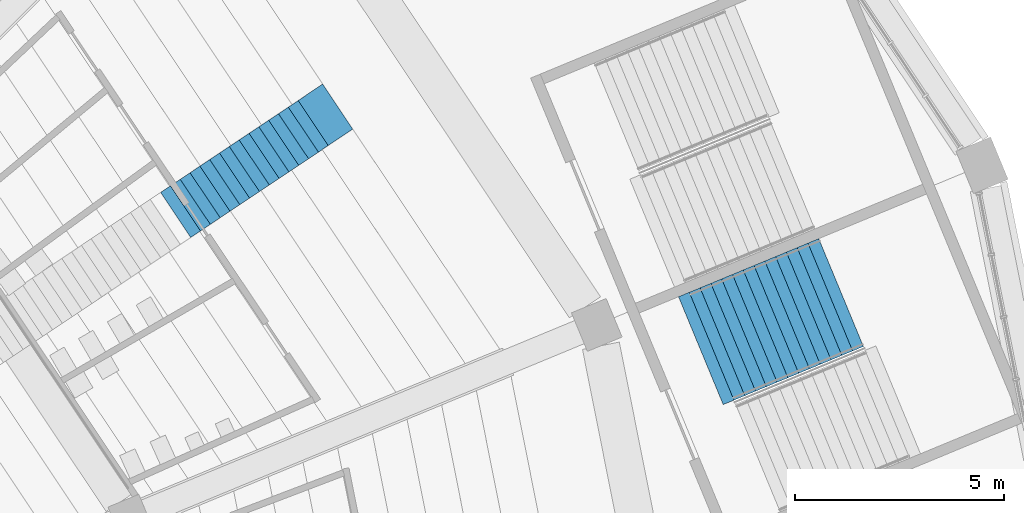
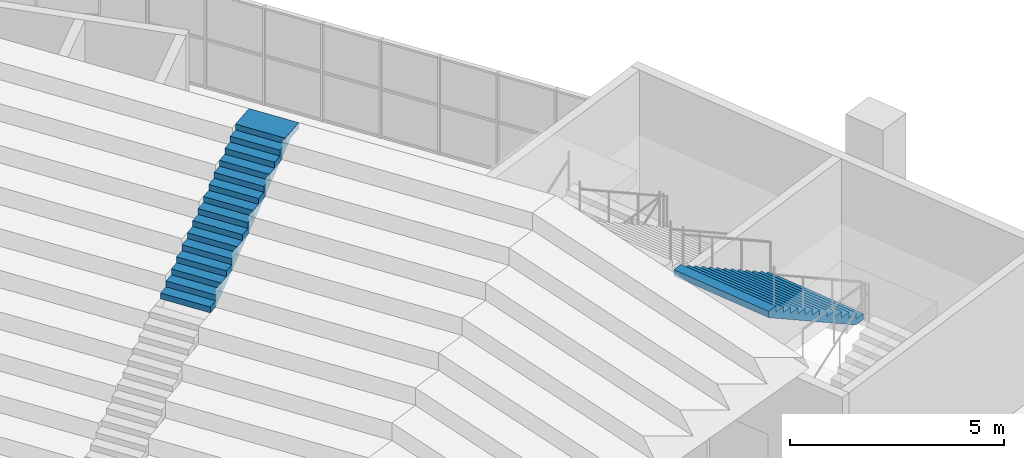
# One storey, part 225 of 249: 2 stair flights, 2 elements without a shape of their own.
"""IFC4 building model written with IfcOpenShell, lengths in metres."""

from ifc_helpers import new_model, si_unit, direction, frame, origin, place, context, subcontext, project, spatial, faceted_brep, material, type_object, element, aggregate, save


model = new_model("IFC4")

# Units and contexts
model_context = context("Model", 3, precision=1e-05, world=origin(), true_north=direction((0.0, 1.0)))
body_context = subcontext(model_context, "Body", "Model", "MODEL_VIEW")
ifc_project = project(units=[si_unit("LENGTHUNIT", "METRE"), si_unit("AREAUNIT", "SQUARE_METRE"), si_unit("VOLUMEUNIT", "CUBIC_METRE"), si_unit("PLANEANGLEUNIT", "RADIAN"), si_unit("MASSUNIT", "GRAM", prefix="KILO")], contexts=[model_context])

# Site, building, storey
site_placement = place(None, origin())
site = spatial("IfcSite", under=ifc_project, at=site_placement, CompositionType="ELEMENT")
building_placement = place(site_placement, origin())
building = spatial("IfcBuilding", under=site, at=building_placement, Name="Ogive Plaza Stadium", CompositionType="ELEMENT")
storey_placement = place(building_placement, frame((0.0, 0.0, 13.5)))
storey = spatial("IfcBuildingStorey", under=building, at=storey_placement, Name="L03", CompositionType="ELEMENT", Elevation=13.5)

# Stair, stair flight
ifc_material_1 = material(Name="Concrete C40/50", Category="concrete")
stair_type_1 = type_object("IfcStairType", Name="Aisle stair", PredefinedType="STRAIGHT_RUN_STAIR", material=ifc_material_1)
stair_1_placement = place(storey_placement, origin())
stair_1 = element("IfcStair", 1, at=stair_1_placement, inside=storey, type_object=stair_type_1, Name="Aisle stair SA39U", PredefinedType="STRAIGHT_RUN_STAIR")
ifc_material_2 = material(Name="Concrete C40/50", Category="concrete")
stair_flight_type_1 = type_object("IfcStairFlightType", Name="Aisle stair flight", PredefinedType="STRAIGHT", material=ifc_material_2)
stair_flight_1_placement = place(storey_placement, frame((60.8564453125, 70.44482421875, 6.5), z_axis=(0.0, 0.0, 1.0), x_axis=(0.831469612303, 0.55557023302, 0.0)))
stair_flight_1 = element("IfcStairFlight", 2, at=stair_flight_1_placement, type_object=stair_flight_type_1, Name="SA39U flight 3", NumberOfRisers=15, NumberOfTreads=14, PredefinedType="STRAIGHT", RiserHeight=0.166666667, TreadLength=0.283333333, context=body_context, shape_type="Brep", body=[
    faceted_brep([(0.295654296875, -0.64990234375, 0.0), (4.25, -0.64990234375, 2.326171875), (4.675537109375, -0.64990234375, 2.326171875), (4.675537109375, -0.64990234375, 2.5), (3.966552734375, -0.64990234375, 2.5), (3.966552734375, -0.64990234375, 2.333251953125), (3.683349609375, -0.64990234375, 2.333251953125), (3.683349609375, -0.64990234375, 2.166748046875), (3.39990234375, -0.64990234375, 2.166748046875), (3.39990234375, -0.64990234375, 2.0), (3.11669921875, -0.64990234375, 2.0), (3.11669921875, -0.64990234375, 1.833251953125), (2.833251953125, -0.64990234375, 1.833251953125), (2.833251953125, -0.64990234375, 1.666748046875), (2.550048828125, -0.64990234375, 1.666748046875), (2.550048828125, -0.64990234375, 1.5), (2.2666015625, -0.64990234375, 1.5), (2.2666015625, -0.64990234375, 1.333251953125), (1.9833984375, -0.64990234375, 1.333251953125), (1.9833984375, -0.64990234375, 1.166748046875), (1.699951171875, -0.64990234375, 1.166748046875), (1.699951171875, -0.64990234375, 1.0), (1.416748046875, -0.64990234375, 1.0), (1.416748046875, -0.64990234375, 0.833251953125), (1.13330078125, -0.64990234375, 0.833251953125), (1.13330078125, -0.64990234375, 0.666748046875), (0.85009765625, -0.64990234375, 0.666748046875), (0.85009765625, -0.64990234375, 0.5), (0.566650390625, -0.64990234375, 0.5), (0.566650390625, -0.64990234375, 0.333251953125), (0.283447265625, -0.64990234375, 0.333251953125), (0.283447265625, -0.64990234375, 0.166748046875), (0.0, -0.64990234375, 0.166748046875), (0.0, -0.64990234375, 0.0), (0.0, 0.64990234375, 0.0), (0.0, 0.64990234375, 0.166748046875), (0.283447265625, 0.64990234375, 0.166748046875), (0.283447265625, 0.64990234375, 0.333251953125), (0.566650390625, 0.64990234375, 0.333251953125), (0.566650390625, 0.64990234375, 0.5), (0.85009765625, 0.64990234375, 0.5), (0.85009765625, 0.64990234375, 0.666748046875), (1.13330078125, 0.64990234375, 0.666748046875), (1.13330078125, 0.64990234375, 0.833251953125), (1.416748046875, 0.64990234375, 0.833251953125), (1.416748046875, 0.64990234375, 1.0), (1.699951171875, 0.64990234375, 1.0), (1.699951171875, 0.64990234375, 1.166748046875), (1.9833984375, 0.64990234375, 1.166748046875), (1.9833984375, 0.64990234375, 1.333251953125), (2.2666015625, 0.64990234375, 1.333251953125), (2.2666015625, 0.64990234375, 1.5), (2.550048828125, 0.64990234375, 1.5), (2.550048828125, 0.64990234375, 1.666748046875), (2.833251953125, 0.64990234375, 1.666748046875), (2.833251953125, 0.64990234375, 1.833251953125), (3.11669921875, 0.64990234375, 1.833251953125), (3.11669921875, 0.64990234375, 2.0), (3.39990234375, 0.64990234375, 2.0), (3.39990234375, 0.64990234375, 2.166748046875), (3.683349609375, 0.64990234375, 2.166748046875), (3.683349609375, 0.64990234375, 2.333251953125), (3.966552734375, 0.64990234375, 2.333251953125), (3.966552734375, 0.64990234375, 2.5), (4.675537109375, 0.64990234375, 2.5), (4.675537109375, 0.64990234375, 2.326171875), (4.25, 0.64990234375, 2.326171875), (0.295654296875, 0.64990234375, 0.0), (0.295654296875, -0.324951171875, 0.0), (4.25, -0.324951171875, 2.326171875), (0.295654296875, 0.0, 0.0), (4.25, 0.0, 2.326171875), (0.295654296875, 0.324951171875, 0.0), (4.25, 0.324951171875, 2.326171875), (4.675537109375, -0.324951171875, 2.326171875), (4.675537109375, 0.0, 2.326171875), (4.675537109375, 0.324951171875, 2.326171875), (4.675537109375, -0.324951171875, 2.5), (4.675537109375, 0.0, 2.5), (4.675537109375, 0.324951171875, 2.5), (3.966552734375, -0.324951171875, 2.5), (3.966552734375, 0.0, 2.5), (3.966552734375, 0.324951171875, 2.5), (3.966552734375, -0.324951171875, 2.333251953125), (3.966552734375, 0.0, 2.333251953125), (3.966552734375, 0.324951171875, 2.333251953125), (3.683349609375, -0.324951171875, 2.333251953125), (3.683349609375, 0.0, 2.333251953125), (3.683349609375, 0.324951171875, 2.333251953125), (3.683349609375, -0.324951171875, 2.166748046875), (3.683349609375, 0.0, 2.166748046875), (3.683349609375, 0.324951171875, 2.166748046875), (3.39990234375, -0.324951171875, 2.166748046875), (3.39990234375, 0.0, 2.166748046875), (3.39990234375, 0.324951171875, 2.166748046875), (3.39990234375, -0.324951171875, 2.0), (3.39990234375, 0.0, 2.0), (3.39990234375, 0.324951171875, 2.0), (3.11669921875, -0.324951171875, 2.0), (3.11669921875, 0.0, 2.0), (3.11669921875, 0.324951171875, 2.0), (3.11669921875, -0.324951171875, 1.833251953125), (3.11669921875, 0.0, 1.833251953125), (3.11669921875, 0.324951171875, 1.833251953125), (2.833251953125, -0.324951171875, 1.833251953125), (2.833251953125, 0.0, 1.833251953125), (2.833251953125, 0.324951171875, 1.833251953125), (2.833251953125, -0.324951171875, 1.666748046875), (2.833251953125, 0.0, 1.666748046875), (2.833251953125, 0.324951171875, 1.666748046875), (2.550048828125, -0.324951171875, 1.666748046875), (2.550048828125, 0.0, 1.666748046875), (2.550048828125, 0.324951171875, 1.666748046875), (2.550048828125, -0.324951171875, 1.5), (2.550048828125, 0.0, 1.5), (2.550048828125, 0.324951171875, 1.5), (2.2666015625, -0.324951171875, 1.5), (2.2666015625, 0.0, 1.5), (2.2666015625, 0.324951171875, 1.5), (2.2666015625, -0.324951171875, 1.333251953125), (2.2666015625, 0.0, 1.333251953125), (2.2666015625, 0.324951171875, 1.333251953125), (1.9833984375, -0.324951171875, 1.333251953125), (1.9833984375, 0.0, 1.333251953125), (1.9833984375, 0.324951171875, 1.333251953125), (1.9833984375, -0.324951171875, 1.166748046875), (1.9833984375, 0.0, 1.166748046875), (1.9833984375, 0.324951171875, 1.166748046875), (1.699951171875, -0.324951171875, 1.166748046875), (1.699951171875, 0.0, 1.166748046875), (1.699951171875, 0.324951171875, 1.166748046875), (1.699951171875, -0.324951171875, 1.0), (1.699951171875, 0.0, 1.0), (1.699951171875, 0.324951171875, 1.0), (1.416748046875, -0.324951171875, 1.0), (1.416748046875, 0.0, 1.0), (1.416748046875, 0.324951171875, 1.0), (1.416748046875, -0.324951171875, 0.833251953125), (1.416748046875, 0.0, 0.833251953125), (1.416748046875, 0.324951171875, 0.833251953125), (1.13330078125, -0.324951171875, 0.833251953125), (1.13330078125, 0.0, 0.833251953125), (1.13330078125, 0.324951171875, 0.833251953125), (1.13330078125, -0.324951171875, 0.666748046875), (1.13330078125, 0.0, 0.666748046875), (1.13330078125, 0.324951171875, 0.666748046875), (0.85009765625, -0.324951171875, 0.666748046875), (0.85009765625, 0.0, 0.666748046875), (0.85009765625, 0.324951171875, 0.666748046875), (0.85009765625, -0.324951171875, 0.5), (0.85009765625, 0.0, 0.5), (0.85009765625, 0.324951171875, 0.5), (0.566650390625, -0.324951171875, 0.5), (0.566650390625, 0.0, 0.5), (0.566650390625, 0.324951171875, 0.5), (0.566650390625, -0.324951171875, 0.333251953125), (0.566650390625, 0.0, 0.333251953125), (0.566650390625, 0.324951171875, 0.333251953125), (0.283447265625, -0.324951171875, 0.333251953125), (0.283447265625, 0.0, 0.333251953125), (0.283447265625, 0.324951171875, 0.333251953125), (0.283447265625, -0.324951171875, 0.166748046875), (0.283447265625, 0.0, 0.166748046875), (0.283447265625, 0.324951171875, 0.166748046875), (0.0, -0.324951171875, 0.166748046875), (0.0, 0.0, 0.166748046875), (0.0, 0.324951171875, 0.166748046875), (0.0, -0.324951171875, 0.0), (0.0, 0.0, 0.0), (0.0, 0.324951171875, 0.0)], [[[0, 1, 2, 3, 4, 5, 6, 7, 8, 9, 10, 11, 12, 13, 14, 15, 16, 17, 18, 19, 20, 21, 22, 23, 24, 25, 26, 27, 28, 29, 30, 31, 32, 33]], [[34, 35, 36, 37, 38, 39, 40, 41, 42, 43, 44, 45, 46, 47, 48, 49, 50, 51, 52, 53, 54, 55, 56, 57, 58, 59, 60, 61, 62, 63, 64, 65, 66, 67]], [[0, 68, 69, 1]], [[68, 70, 71, 69]], [[70, 72, 73, 71]], [[72, 67, 66, 73]], [[1, 69, 74, 2]], [[69, 71, 75, 74]], [[71, 73, 76, 75]], [[73, 66, 65, 76]], [[2, 74, 77, 3]], [[74, 75, 78, 77]], [[75, 76, 79, 78]], [[76, 65, 64, 79]], [[3, 77, 80, 4]], [[77, 78, 81, 80]], [[78, 79, 82, 81]], [[79, 64, 63, 82]], [[4, 80, 83, 5]], [[80, 81, 84, 83]], [[81, 82, 85, 84]], [[82, 63, 62, 85]], [[5, 83, 86, 6]], [[83, 84, 87, 86]], [[84, 85, 88, 87]], [[85, 62, 61, 88]], [[6, 86, 89, 7]], [[86, 87, 90, 89]], [[87, 88, 91, 90]], [[88, 61, 60, 91]], [[7, 89, 92, 8]], [[89, 90, 93, 92]], [[90, 91, 94, 93]], [[91, 60, 59, 94]], [[8, 92, 95, 9]], [[92, 93, 96, 95]], [[93, 94, 97, 96]], [[94, 59, 58, 97]], [[9, 95, 98, 10]], [[95, 96, 99, 98]], [[96, 97, 100, 99]], [[97, 58, 57, 100]], [[10, 98, 101, 11]], [[98, 99, 102, 101]], [[99, 100, 103, 102]], [[100, 57, 56, 103]], [[11, 101, 104, 12]], [[101, 102, 105, 104]], [[102, 103, 106, 105]], [[103, 56, 55, 106]], [[12, 104, 107, 13]], [[104, 105, 108, 107]], [[105, 106, 109, 108]], [[106, 55, 54, 109]], [[13, 107, 110, 14]], [[107, 108, 111, 110]], [[108, 109, 112, 111]], [[109, 54, 53, 112]], [[14, 110, 113, 15]], [[110, 111, 114, 113]], [[111, 112, 115, 114]], [[112, 53, 52, 115]], [[15, 113, 116, 16]], [[113, 114, 117, 116]], [[114, 115, 118, 117]], [[115, 52, 51, 118]], [[16, 116, 119, 17]], [[116, 117, 120, 119]], [[117, 118, 121, 120]], [[118, 51, 50, 121]], [[17, 119, 122, 18]], [[119, 120, 123, 122]], [[120, 121, 124, 123]], [[121, 50, 49, 124]], [[18, 122, 125, 19]], [[122, 123, 126, 125]], [[123, 124, 127, 126]], [[124, 49, 48, 127]], [[19, 125, 128, 20]], [[125, 126, 129, 128]], [[126, 127, 130, 129]], [[127, 48, 47, 130]], [[20, 128, 131, 21]], [[128, 129, 132, 131]], [[129, 130, 133, 132]], [[130, 47, 46, 133]], [[21, 131, 134, 22]], [[131, 132, 135, 134]], [[132, 133, 136, 135]], [[133, 46, 45, 136]], [[22, 134, 137, 23]], [[134, 135, 138, 137]], [[135, 136, 139, 138]], [[136, 45, 44, 139]], [[23, 137, 140, 24]], [[137, 138, 141, 140]], [[138, 139, 142, 141]], [[139, 44, 43, 142]], [[24, 140, 143, 25]], [[140, 141, 144, 143]], [[141, 142, 145, 144]], [[142, 43, 42, 145]], [[25, 143, 146, 26]], [[143, 144, 147, 146]], [[144, 145, 148, 147]], [[145, 42, 41, 148]], [[26, 146, 149, 27]], [[146, 147, 150, 149]], [[147, 148, 151, 150]], [[148, 41, 40, 151]], [[27, 149, 152, 28]], [[149, 150, 153, 152]], [[150, 151, 154, 153]], [[151, 40, 39, 154]], [[28, 152, 155, 29]], [[152, 153, 156, 155]], [[153, 154, 157, 156]], [[154, 39, 38, 157]], [[29, 155, 158, 30]], [[155, 156, 159, 158]], [[156, 157, 160, 159]], [[157, 38, 37, 160]], [[30, 158, 161, 31]], [[158, 159, 162, 161]], [[159, 160, 163, 162]], [[160, 37, 36, 163]], [[31, 161, 164, 32]], [[161, 162, 165, 164]], [[162, 163, 166, 165]], [[163, 36, 35, 166]], [[32, 164, 167, 33]], [[164, 165, 168, 167]], [[165, 166, 169, 168]], [[166, 35, 34, 169]], [[33, 167, 68, 0]], [[167, 168, 70, 68]], [[168, 169, 72, 70]], [[169, 34, 67, 72]]]),
])
aggregate(stair_1, [stair_flight_1])

ifc_material_3 = material(Name="Concrete C40/50", Category="concrete")
stair_type_2 = type_object("IfcStairType", Name="Exit stair", PredefinedType="STRAIGHT_RUN_STAIR", material=ifc_material_3)
stair_2_placement = place(storey_placement, origin())
stair_2 = element("IfcStair", 3, at=stair_2_placement, inside=storey, type_object=stair_type_2, Name="Exit stair ST40A L03 to L04", PredefinedType="STRAIGHT_RUN_STAIR")
ifc_material_4 = material(Name="Concrete C40/50", Category="concrete")
stair_flight_type_2 = type_object("IfcStairFlightType", Name="Exit stair flight", PredefinedType="STRAIGHT", material=ifc_material_4)
stair_flight_2_placement = place(storey_placement, frame((76.814208984375, 68.58349609375, 2.25), z_axis=(0.0, 0.0, 1.0), x_axis=(-0.923879532511, -0.382683432365, 0.0)))
stair_flight_2 = element("IfcStairFlight", 4, at=stair_flight_2_placement, type_object=stair_flight_type_2, Name="ST40A flight 2", NumberOfRisers=13, NumberOfTreads=12, PredefinedType="STRAIGHT", RiserHeight=0.173076923, TreadLength=0.28, context=body_context, shape_type="Brep", body=[
    faceted_brep([(0.28515625, -1.39990234375, 0.0), (3.639892578125, -1.39990234375, 2.07373046875), (3.639892578125, -1.39990234375, 2.25), (3.360107421875, -1.39990234375, 2.25), (3.360107421875, -1.39990234375, 2.076904296875), (3.080078125, -1.39990234375, 2.076904296875), (3.080078125, -1.39990234375, 1.90380859375), (2.800048828125, -1.39990234375, 1.90380859375), (2.800048828125, -1.39990234375, 1.730712890625), (2.52001953125, -1.39990234375, 1.730712890625), (2.52001953125, -1.39990234375, 1.5576171875), (2.239990234375, -1.39990234375, 1.5576171875), (2.239990234375, -1.39990234375, 1.384521484375), (1.9599609375, -1.39990234375, 1.384521484375), (1.9599609375, -1.39990234375, 1.21142578125), (1.679931640625, -1.39990234375, 1.21142578125), (1.679931640625, -1.39990234375, 1.03857421875), (1.39990234375, -1.39990234375, 1.03857421875), (1.39990234375, -1.39990234375, 0.865478515625), (1.1201171875, -1.39990234375, 0.865478515625), (1.1201171875, -1.39990234375, 0.6923828125), (0.840087890625, -1.39990234375, 0.6923828125), (0.840087890625, -1.39990234375, 0.519287109375), (0.56005859375, -1.39990234375, 0.519287109375), (0.56005859375, -1.39990234375, 0.34619140625), (0.280029296875, -1.39990234375, 0.34619140625), (0.280029296875, -1.39990234375, 0.173095703125), (0.0, -1.39990234375, 0.173095703125), (0.0, -1.39990234375, 0.0), (0.0, 1.39990234375, 0.0), (0.0, 1.39990234375, 0.173095703125), (0.280029296875, 1.39990234375, 0.173095703125), (0.280029296875, 1.39990234375, 0.34619140625), (0.56005859375, 1.39990234375, 0.34619140625), (0.56005859375, 1.39990234375, 0.519287109375), (0.840087890625, 1.39990234375, 0.519287109375), (0.840087890625, 1.39990234375, 0.6923828125), (1.1201171875, 1.39990234375, 0.6923828125), (1.1201171875, 1.39990234375, 0.865478515625), (1.39990234375, 1.39990234375, 0.865478515625), (1.39990234375, 1.39990234375, 1.03857421875), (1.679931640625, 1.39990234375, 1.03857421875), (1.679931640625, 1.39990234375, 1.21142578125), (1.9599609375, 1.39990234375, 1.21142578125), (1.9599609375, 1.39990234375, 1.384521484375), (2.239990234375, 1.39990234375, 1.384521484375), (2.239990234375, 1.39990234375, 1.5576171875), (2.52001953125, 1.39990234375, 1.5576171875), (2.52001953125, 1.39990234375, 1.730712890625), (2.800048828125, 1.39990234375, 1.730712890625), (2.800048828125, 1.39990234375, 1.90380859375), (3.080078125, 1.39990234375, 1.90380859375), (3.080078125, 1.39990234375, 2.076904296875), (3.360107421875, 1.39990234375, 2.076904296875), (3.360107421875, 1.39990234375, 2.25), (3.639892578125, 1.39990234375, 2.25), (3.639892578125, 1.39990234375, 2.07373046875), (0.28515625, 1.39990234375, 0.0), (0.28515625, -1.0888671875, 0.0), (3.639892578125, -1.0888671875, 2.07373046875), (0.28515625, -0.77783203125, 0.0), (3.639892578125, -0.77783203125, 2.07373046875), (0.28515625, -0.466796875, 0.0), (3.639892578125, -0.466796875, 2.07373046875), (0.28515625, -0.155517578125, 0.0), (3.639892578125, -0.155517578125, 2.07373046875), (0.28515625, 0.155517578125, 0.0), (3.639892578125, 0.155517578125, 2.07373046875), (0.28515625, 0.466796875, 0.0), (3.639892578125, 0.466796875, 2.07373046875), (0.28515625, 0.77783203125, 0.0), (3.639892578125, 0.77783203125, 2.07373046875), (0.28515625, 1.0888671875, 0.0), (3.639892578125, 1.0888671875, 2.07373046875), (3.639892578125, -1.0888671875, 2.25), (3.639892578125, -0.77783203125, 2.25), (3.639892578125, -0.466796875, 2.25), (3.639892578125, -0.155517578125, 2.25), (3.639892578125, 0.155517578125, 2.25), (3.639892578125, 0.466796875, 2.25), (3.639892578125, 0.77783203125, 2.25), (3.639892578125, 1.0888671875, 2.25), (3.360107421875, -1.0888671875, 2.25), (3.360107421875, -0.77783203125, 2.25), (3.360107421875, -0.466796875, 2.25), (3.360107421875, -0.155517578125, 2.25), (3.360107421875, 0.155517578125, 2.25), (3.360107421875, 0.466796875, 2.25), (3.360107421875, 0.77783203125, 2.25), (3.360107421875, 1.0888671875, 2.25), (3.360107421875, -1.0888671875, 2.076904296875), (3.360107421875, -0.77783203125, 2.076904296875), (3.360107421875, -0.466796875, 2.076904296875), (3.360107421875, -0.155517578125, 2.076904296875), (3.360107421875, 0.155517578125, 2.076904296875), (3.360107421875, 0.466796875, 2.076904296875), (3.360107421875, 0.77783203125, 2.076904296875), (3.360107421875, 1.0888671875, 2.076904296875), (3.080078125, -1.0888671875, 2.076904296875), (3.080078125, -0.77783203125, 2.076904296875), (3.080078125, -0.466796875, 2.076904296875), (3.080078125, -0.155517578125, 2.076904296875), (3.080078125, 0.155517578125, 2.076904296875), (3.080078125, 0.466796875, 2.076904296875), (3.080078125, 0.77783203125, 2.076904296875), (3.080078125, 1.0888671875, 2.076904296875), (3.080078125, -1.0888671875, 1.90380859375), (3.080078125, -0.77783203125, 1.90380859375), (3.080078125, -0.466796875, 1.90380859375), (3.080078125, -0.155517578125, 1.90380859375), (3.080078125, 0.155517578125, 1.90380859375), (3.080078125, 0.466796875, 1.90380859375), (3.080078125, 0.77783203125, 1.90380859375), (3.080078125, 1.0888671875, 1.90380859375), (2.800048828125, -1.0888671875, 1.90380859375), (2.800048828125, -0.77783203125, 1.90380859375), (2.800048828125, -0.466796875, 1.90380859375), (2.800048828125, -0.155517578125, 1.90380859375), (2.800048828125, 0.155517578125, 1.90380859375), (2.800048828125, 0.466796875, 1.90380859375), (2.800048828125, 0.77783203125, 1.90380859375), (2.800048828125, 1.0888671875, 1.90380859375), (2.800048828125, -1.0888671875, 1.730712890625), (2.800048828125, -0.77783203125, 1.730712890625), (2.800048828125, -0.466796875, 1.730712890625), (2.800048828125, -0.155517578125, 1.730712890625), (2.800048828125, 0.155517578125, 1.730712890625), (2.800048828125, 0.466796875, 1.730712890625), (2.800048828125, 0.77783203125, 1.730712890625), (2.800048828125, 1.0888671875, 1.730712890625), (2.52001953125, -1.0888671875, 1.730712890625), (2.52001953125, -0.77783203125, 1.730712890625), (2.52001953125, -0.466796875, 1.730712890625), (2.52001953125, -0.155517578125, 1.730712890625), (2.52001953125, 0.155517578125, 1.730712890625), (2.52001953125, 0.466796875, 1.730712890625), (2.52001953125, 0.77783203125, 1.730712890625), (2.52001953125, 1.0888671875, 1.730712890625), (2.52001953125, -1.0888671875, 1.5576171875), (2.52001953125, -0.77783203125, 1.5576171875), (2.52001953125, -0.466796875, 1.5576171875), (2.52001953125, -0.155517578125, 1.5576171875), (2.52001953125, 0.155517578125, 1.5576171875), (2.52001953125, 0.466796875, 1.5576171875), (2.52001953125, 0.77783203125, 1.5576171875), (2.52001953125, 1.0888671875, 1.5576171875), (2.239990234375, -1.0888671875, 1.5576171875), (2.239990234375, -0.77783203125, 1.5576171875), (2.239990234375, -0.466796875, 1.5576171875), (2.239990234375, -0.155517578125, 1.5576171875), (2.239990234375, 0.155517578125, 1.5576171875), (2.239990234375, 0.466796875, 1.5576171875), (2.239990234375, 0.77783203125, 1.5576171875), (2.239990234375, 1.0888671875, 1.5576171875), (2.239990234375, -1.0888671875, 1.384521484375), (2.239990234375, -0.77783203125, 1.384521484375), (2.239990234375, -0.466796875, 1.384521484375), (2.239990234375, -0.155517578125, 1.384521484375), (2.239990234375, 0.155517578125, 1.384521484375), (2.239990234375, 0.466796875, 1.384521484375), (2.239990234375, 0.77783203125, 1.384521484375), (2.239990234375, 1.0888671875, 1.384521484375), (1.9599609375, -1.0888671875, 1.384521484375), (1.9599609375, -0.77783203125, 1.384521484375), (1.9599609375, -0.466796875, 1.384521484375), (1.9599609375, -0.155517578125, 1.384521484375), (1.9599609375, 0.155517578125, 1.384521484375), (1.9599609375, 0.466796875, 1.384521484375), (1.9599609375, 0.77783203125, 1.384521484375), (1.9599609375, 1.0888671875, 1.384521484375), (1.9599609375, -1.0888671875, 1.21142578125), (1.9599609375, -0.77783203125, 1.21142578125), (1.9599609375, -0.466796875, 1.21142578125), (1.9599609375, -0.155517578125, 1.21142578125), (1.9599609375, 0.155517578125, 1.21142578125), (1.9599609375, 0.466796875, 1.21142578125), (1.9599609375, 0.77783203125, 1.21142578125), (1.9599609375, 1.0888671875, 1.21142578125), (1.679931640625, -1.0888671875, 1.21142578125), (1.679931640625, -0.77783203125, 1.21142578125), (1.679931640625, -0.466796875, 1.21142578125), (1.679931640625, -0.155517578125, 1.21142578125), (1.679931640625, 0.155517578125, 1.21142578125), (1.679931640625, 0.466796875, 1.21142578125), (1.679931640625, 0.77783203125, 1.21142578125), (1.679931640625, 1.0888671875, 1.21142578125), (1.679931640625, -1.0888671875, 1.03857421875), (1.679931640625, -0.77783203125, 1.03857421875), (1.679931640625, -0.466796875, 1.03857421875), (1.679931640625, -0.155517578125, 1.03857421875), (1.679931640625, 0.155517578125, 1.03857421875), (1.679931640625, 0.466796875, 1.03857421875), (1.679931640625, 0.77783203125, 1.03857421875), (1.679931640625, 1.0888671875, 1.03857421875), (1.39990234375, -1.0888671875, 1.03857421875), (1.39990234375, -0.77783203125, 1.03857421875), (1.39990234375, -0.466796875, 1.03857421875), (1.39990234375, -0.155517578125, 1.03857421875), (1.39990234375, 0.155517578125, 1.03857421875), (1.39990234375, 0.466796875, 1.03857421875), (1.39990234375, 0.77783203125, 1.03857421875), (1.39990234375, 1.0888671875, 1.03857421875), (1.39990234375, -1.0888671875, 0.865478515625), (1.39990234375, -0.77783203125, 0.865478515625), (1.39990234375, -0.466796875, 0.865478515625), (1.39990234375, -0.155517578125, 0.865478515625), (1.39990234375, 0.155517578125, 0.865478515625), (1.39990234375, 0.466796875, 0.865478515625), (1.39990234375, 0.77783203125, 0.865478515625), (1.39990234375, 1.0888671875, 0.865478515625), (1.1201171875, -1.0888671875, 0.865478515625), (1.1201171875, -0.77783203125, 0.865478515625), (1.1201171875, -0.466796875, 0.865478515625), (1.1201171875, -0.155517578125, 0.865478515625), (1.1201171875, 0.155517578125, 0.865478515625), (1.1201171875, 0.466796875, 0.865478515625), (1.1201171875, 0.77783203125, 0.865478515625), (1.1201171875, 1.0888671875, 0.865478515625), (1.1201171875, -1.0888671875, 0.6923828125), (1.1201171875, -0.77783203125, 0.6923828125), (1.1201171875, -0.466796875, 0.6923828125), (1.1201171875, -0.155517578125, 0.6923828125), (1.1201171875, 0.155517578125, 0.6923828125), (1.1201171875, 0.466796875, 0.6923828125), (1.1201171875, 0.77783203125, 0.6923828125), (1.1201171875, 1.0888671875, 0.6923828125), (0.840087890625, -1.0888671875, 0.6923828125), (0.840087890625, -0.77783203125, 0.6923828125), (0.840087890625, -0.466796875, 0.6923828125), (0.840087890625, -0.155517578125, 0.6923828125), (0.840087890625, 0.155517578125, 0.6923828125), (0.840087890625, 0.466796875, 0.6923828125), (0.840087890625, 0.77783203125, 0.6923828125), (0.840087890625, 1.0888671875, 0.6923828125), (0.840087890625, -1.0888671875, 0.519287109375), (0.840087890625, -0.77783203125, 0.519287109375), (0.840087890625, -0.466796875, 0.519287109375), (0.840087890625, -0.155517578125, 0.519287109375), (0.840087890625, 0.155517578125, 0.519287109375), (0.840087890625, 0.466796875, 0.519287109375), (0.840087890625, 0.77783203125, 0.519287109375), (0.840087890625, 1.0888671875, 0.519287109375), (0.56005859375, -1.0888671875, 0.519287109375), (0.56005859375, -0.77783203125, 0.519287109375), (0.56005859375, -0.466796875, 0.519287109375), (0.56005859375, -0.155517578125, 0.519287109375), (0.56005859375, 0.155517578125, 0.519287109375), (0.56005859375, 0.466796875, 0.519287109375), (0.56005859375, 0.77783203125, 0.519287109375), (0.56005859375, 1.0888671875, 0.519287109375), (0.56005859375, -1.0888671875, 0.34619140625), (0.56005859375, -0.77783203125, 0.34619140625), (0.56005859375, -0.466796875, 0.34619140625), (0.56005859375, -0.155517578125, 0.34619140625), (0.56005859375, 0.155517578125, 0.34619140625), (0.56005859375, 0.466796875, 0.34619140625), (0.56005859375, 0.77783203125, 0.34619140625), (0.56005859375, 1.0888671875, 0.34619140625), (0.280029296875, -1.0888671875, 0.34619140625), (0.280029296875, -0.77783203125, 0.34619140625), (0.280029296875, -0.466796875, 0.34619140625), (0.280029296875, -0.155517578125, 0.34619140625), (0.280029296875, 0.155517578125, 0.34619140625), (0.280029296875, 0.466796875, 0.34619140625), (0.280029296875, 0.77783203125, 0.34619140625), (0.280029296875, 1.0888671875, 0.34619140625), (0.280029296875, -1.0888671875, 0.173095703125), (0.280029296875, -0.77783203125, 0.173095703125), (0.280029296875, -0.466796875, 0.173095703125), (0.280029296875, -0.155517578125, 0.173095703125), (0.280029296875, 0.155517578125, 0.173095703125), (0.280029296875, 0.466796875, 0.173095703125), (0.280029296875, 0.77783203125, 0.173095703125), (0.280029296875, 1.0888671875, 0.173095703125), (0.0, -1.0888671875, 0.173095703125), (0.0, -0.77783203125, 0.173095703125), (0.0, -0.466796875, 0.173095703125), (0.0, -0.155517578125, 0.173095703125), (0.0, 0.155517578125, 0.173095703125), (0.0, 0.466796875, 0.173095703125), (0.0, 0.77783203125, 0.173095703125), (0.0, 1.0888671875, 0.173095703125), (0.0, -1.0888671875, 0.0), (0.0, -0.77783203125, 0.0), (0.0, -0.466796875, 0.0), (0.0, -0.155517578125, 0.0), (0.0, 0.155517578125, 0.0), (0.0, 0.466796875, 0.0), (0.0, 0.77783203125, 0.0), (0.0, 1.0888671875, 0.0)], [[[0, 1, 2, 3, 4, 5, 6, 7, 8, 9, 10, 11, 12, 13, 14, 15, 16, 17, 18, 19, 20, 21, 22, 23, 24, 25, 26, 27, 28]], [[29, 30, 31, 32, 33, 34, 35, 36, 37, 38, 39, 40, 41, 42, 43, 44, 45, 46, 47, 48, 49, 50, 51, 52, 53, 54, 55, 56, 57]], [[0, 58, 59, 1]], [[58, 60, 61, 59]], [[60, 62, 63, 61]], [[62, 64, 65, 63]], [[64, 66, 67, 65]], [[66, 68, 69, 67]], [[68, 70, 71, 69]], [[70, 72, 73, 71]], [[72, 57, 56, 73]], [[1, 59, 74, 2]], [[59, 61, 75, 74]], [[61, 63, 76, 75]], [[63, 65, 77, 76]], [[65, 67, 78, 77]], [[67, 69, 79, 78]], [[69, 71, 80, 79]], [[71, 73, 81, 80]], [[73, 56, 55, 81]], [[2, 74, 82, 3]], [[74, 75, 83, 82]], [[75, 76, 84, 83]], [[76, 77, 85, 84]], [[77, 78, 86, 85]], [[78, 79, 87, 86]], [[79, 80, 88, 87]], [[80, 81, 89, 88]], [[81, 55, 54, 89]], [[3, 82, 90, 4]], [[82, 83, 91, 90]], [[83, 84, 92, 91]], [[84, 85, 93, 92]], [[85, 86, 94, 93]], [[86, 87, 95, 94]], [[87, 88, 96, 95]], [[88, 89, 97, 96]], [[89, 54, 53, 97]], [[4, 90, 98, 5]], [[90, 91, 99, 98]], [[91, 92, 100, 99]], [[92, 93, 101, 100]], [[93, 94, 102, 101]], [[94, 95, 103, 102]], [[95, 96, 104, 103]], [[96, 97, 105, 104]], [[97, 53, 52, 105]], [[5, 98, 106, 6]], [[98, 99, 107, 106]], [[99, 100, 108, 107]], [[100, 101, 109, 108]], [[101, 102, 110, 109]], [[102, 103, 111, 110]], [[103, 104, 112, 111]], [[104, 105, 113, 112]], [[105, 52, 51, 113]], [[6, 106, 114, 7]], [[106, 107, 115, 114]], [[107, 108, 116, 115]], [[108, 109, 117, 116]], [[109, 110, 118, 117]], [[110, 111, 119, 118]], [[111, 112, 120, 119]], [[112, 113, 121, 120]], [[113, 51, 50, 121]], [[7, 114, 122, 8]], [[114, 115, 123, 122]], [[115, 116, 124, 123]], [[116, 117, 125, 124]], [[117, 118, 126, 125]], [[118, 119, 127, 126]], [[119, 120, 128, 127]], [[120, 121, 129, 128]], [[121, 50, 49, 129]], [[8, 122, 130, 9]], [[122, 123, 131, 130]], [[123, 124, 132, 131]], [[124, 125, 133, 132]], [[125, 126, 134, 133]], [[126, 127, 135, 134]], [[127, 128, 136, 135]], [[128, 129, 137, 136]], [[129, 49, 48, 137]], [[9, 130, 138, 10]], [[130, 131, 139, 138]], [[131, 132, 140, 139]], [[132, 133, 141, 140]], [[133, 134, 142, 141]], [[134, 135, 143, 142]], [[135, 136, 144, 143]], [[136, 137, 145, 144]], [[137, 48, 47, 145]], [[10, 138, 146, 11]], [[138, 139, 147, 146]], [[139, 140, 148, 147]], [[140, 141, 149, 148]], [[141, 142, 150, 149]], [[142, 143, 151, 150]], [[143, 144, 152, 151]], [[144, 145, 153, 152]], [[145, 47, 46, 153]], [[11, 146, 154, 12]], [[146, 147, 155, 154]], [[147, 148, 156, 155]], [[148, 149, 157, 156]], [[149, 150, 158, 157]], [[150, 151, 159, 158]], [[151, 152, 160, 159]], [[152, 153, 161, 160]], [[153, 46, 45, 161]], [[12, 154, 162, 13]], [[154, 155, 163, 162]], [[155, 156, 164, 163]], [[156, 157, 165, 164]], [[157, 158, 166, 165]], [[158, 159, 167, 166]], [[159, 160, 168, 167]], [[160, 161, 169, 168]], [[161, 45, 44, 169]], [[13, 162, 170, 14]], [[162, 163, 171, 170]], [[163, 164, 172, 171]], [[164, 165, 173, 172]], [[165, 166, 174, 173]], [[166, 167, 175, 174]], [[167, 168, 176, 175]], [[168, 169, 177, 176]], [[169, 44, 43, 177]], [[14, 170, 178, 15]], [[170, 171, 179, 178]], [[171, 172, 180, 179]], [[172, 173, 181, 180]], [[173, 174, 182, 181]], [[174, 175, 183, 182]], [[175, 176, 184, 183]], [[176, 177, 185, 184]], [[177, 43, 42, 185]], [[15, 178, 186, 16]], [[178, 179, 187, 186]], [[179, 180, 188, 187]], [[180, 181, 189, 188]], [[181, 182, 190, 189]], [[182, 183, 191, 190]], [[183, 184, 192, 191]], [[184, 185, 193, 192]], [[185, 42, 41, 193]], [[16, 186, 194, 17]], [[186, 187, 195, 194]], [[187, 188, 196, 195]], [[188, 189, 197, 196]], [[189, 190, 198, 197]], [[190, 191, 199, 198]], [[191, 192, 200, 199]], [[192, 193, 201, 200]], [[193, 41, 40, 201]], [[17, 194, 202, 18]], [[194, 195, 203, 202]], [[195, 196, 204, 203]], [[196, 197, 205, 204]], [[197, 198, 206, 205]], [[198, 199, 207, 206]], [[199, 200, 208, 207]], [[200, 201, 209, 208]], [[201, 40, 39, 209]], [[18, 202, 210, 19]], [[202, 203, 211, 210]], [[203, 204, 212, 211]], [[204, 205, 213, 212]], [[205, 206, 214, 213]], [[206, 207, 215, 214]], [[207, 208, 216, 215]], [[208, 209, 217, 216]], [[209, 39, 38, 217]], [[19, 210, 218, 20]], [[210, 211, 219, 218]], [[211, 212, 220, 219]], [[212, 213, 221, 220]], [[213, 214, 222, 221]], [[214, 215, 223, 222]], [[215, 216, 224, 223]], [[216, 217, 225, 224]], [[217, 38, 37, 225]], [[20, 218, 226, 21]], [[218, 219, 227, 226]], [[219, 220, 228, 227]], [[220, 221, 229, 228]], [[221, 222, 230, 229]], [[222, 223, 231, 230]], [[223, 224, 232, 231]], [[224, 225, 233, 232]], [[225, 37, 36, 233]], [[21, 226, 234, 22]], [[226, 227, 235, 234]], [[227, 228, 236, 235]], [[228, 229, 237, 236]], [[229, 230, 238, 237]], [[230, 231, 239, 238]], [[231, 232, 240, 239]], [[232, 233, 241, 240]], [[233, 36, 35, 241]], [[22, 234, 242, 23]], [[234, 235, 243, 242]], [[235, 236, 244, 243]], [[236, 237, 245, 244]], [[237, 238, 246, 245]], [[238, 239, 247, 246]], [[239, 240, 248, 247]], [[240, 241, 249, 248]], [[241, 35, 34, 249]], [[23, 242, 250, 24]], [[242, 243, 251, 250]], [[243, 244, 252, 251]], [[244, 245, 253, 252]], [[245, 246, 254, 253]], [[246, 247, 255, 254]], [[247, 248, 256, 255]], [[248, 249, 257, 256]], [[249, 34, 33, 257]], [[24, 250, 258, 25]], [[250, 251, 259, 258]], [[251, 252, 260, 259]], [[252, 253, 261, 260]], [[253, 254, 262, 261]], [[254, 255, 263, 262]], [[255, 256, 264, 263]], [[256, 257, 265, 264]], [[257, 33, 32, 265]], [[25, 258, 266, 26]], [[258, 259, 267, 266]], [[259, 260, 268, 267]], [[260, 261, 269, 268]], [[261, 262, 270, 269]], [[262, 263, 271, 270]], [[263, 264, 272, 271]], [[264, 265, 273, 272]], [[265, 32, 31, 273]], [[26, 266, 274, 27]], [[266, 267, 275, 274]], [[267, 268, 276, 275]], [[268, 269, 277, 276]], [[269, 270, 278, 277]], [[270, 271, 279, 278]], [[271, 272, 280, 279]], [[272, 273, 281, 280]], [[273, 31, 30, 281]], [[27, 274, 282, 28]], [[274, 275, 283, 282]], [[275, 276, 284, 283]], [[276, 277, 285, 284]], [[277, 278, 286, 285]], [[278, 279, 287, 286]], [[279, 280, 288, 287]], [[280, 281, 289, 288]], [[281, 30, 29, 289]], [[28, 282, 58, 0]], [[282, 283, 60, 58]], [[283, 284, 62, 60]], [[284, 285, 64, 62]], [[285, 286, 66, 64]], [[286, 287, 68, 66]], [[287, 288, 70, 68]], [[288, 289, 72, 70]], [[289, 29, 57, 72]]]),
])
aggregate(stair_2, [stair_flight_2])

save(model, "model.ifc")
